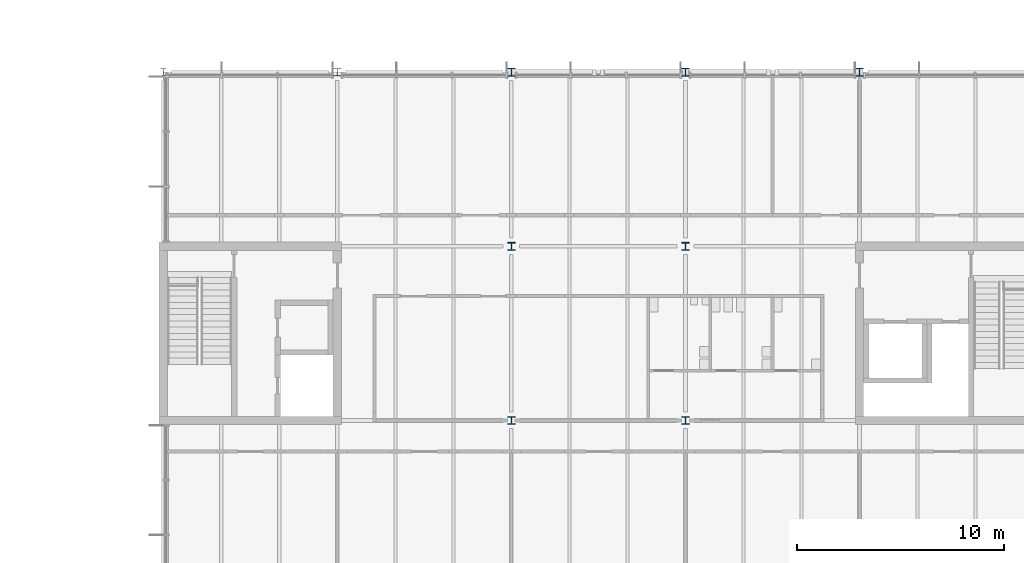
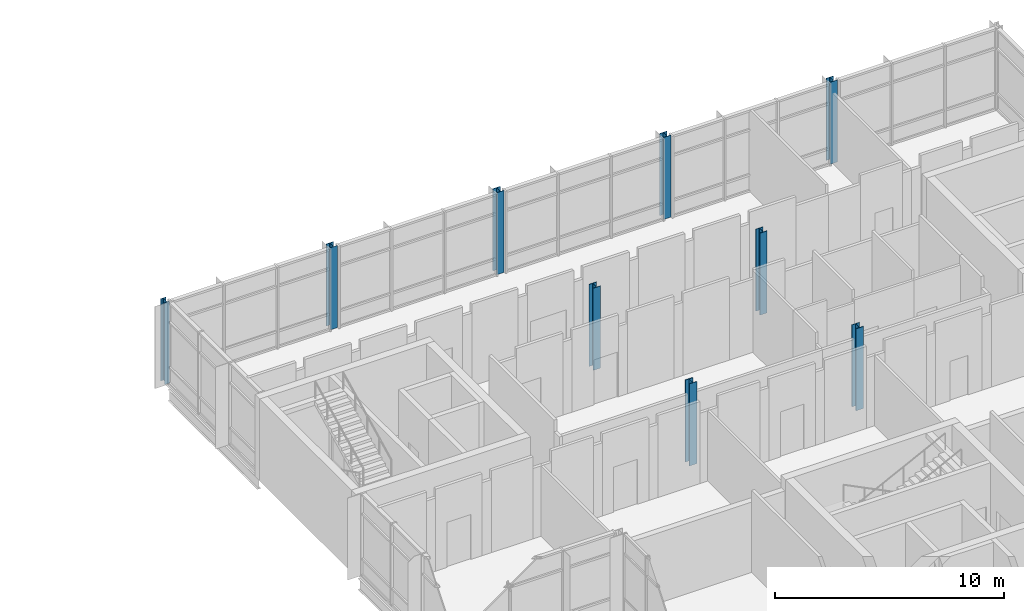
# One storey, part 9 of 89: 9 columns.
"""IFC4 building model written with IfcOpenShell, lengths in metres."""

from ifc_helpers import new_model, si_unit, direction, frame, origin, origin_2d, place, context, subcontext, project, spatial, i_section, extrude, material, material_profile, profile_set, type_object, element, save


model = new_model("IFC4")

# Units and contexts
model_context = context("Model", 3, precision=1e-05, world=origin(), true_north=direction((0.0, 1.0)))
body_context = subcontext(model_context, "Body", "Model", "MODEL_VIEW")
ifc_project = project(units=[si_unit("LENGTHUNIT", "METRE"), si_unit("AREAUNIT", "SQUARE_METRE"), si_unit("VOLUMEUNIT", "CUBIC_METRE"), si_unit("PLANEANGLEUNIT", "RADIAN"), si_unit("MASSUNIT", "GRAM", prefix="KILO")], contexts=[model_context])

# Site, building, storey
site_placement = place(None, origin())
site = spatial("IfcSite", under=ifc_project, at=site_placement, CompositionType="ELEMENT")
building_placement = place(site_placement, origin())
building = spatial("IfcBuilding", under=site, at=building_placement, Name="Hlaing Beacon Police Headquarters", CompositionType="ELEMENT")
storey_placement = place(building_placement, frame((0.0, 0.0, 9.89990234375)))
storey = spatial("IfcBuildingStorey", under=building, at=storey_placement, Name="L02", CompositionType="ELEMENT", Elevation=9.89990234375)

# Columns
ifc_material_1 = material(Name="Steel ASTM A992 Grade 50", Category="steel")
ifc_material_profile_1 = material_profile(ifc_material_1, i_section(OverallWidth=0.370849609375, OverallDepth=0.36328125, WebThickness=0.013427734375, FlangeThickness=0.021728515625, FilletRadius=0.01513671875, at=origin_2d()), Name="W14x109")
ifc_profile_set_1 = profile_set([ifc_material_profile_1], Name="Steel ASTM A992 Grade 50")
column_type_1 = type_object("IfcColumnType", Name="Steel column W14x109", PredefinedType="COLUMN", material=ifc_profile_set_1)
for number, where, z_axis, x_axis, name in (
    (1, (109.199951171875, 92.39990234375, 0.0), (0.0, 0.0, 1.0), (1.0, 0.0, 0.0), "STR-COL-L02-P12"),
    (2, (117.60009765625, 92.39990234375, 0.0), (0.0, 0.0, 1.0), (1.0, 0.0, 0.0), "STR-COL-L02-Q12"),
    (3, (126.0, 92.39990234375, 0.0), (0.0, 0.0, 1.0), (1.0, 0.0, 0.0), "STR-COL-L02-R12"),
):
    element("IfcColumn", number, at=place(storey_placement, frame(where, z_axis=z_axis, x_axis=x_axis)), inside=storey, type_object=column_type_1, Name=name, PredefinedType="COLUMN", context=body_context, shape_type="SweptSolid", body=[
        extrude(i_section(OverallWidth=0.370849609375, OverallDepth=0.36328125, WebThickness=0.013427734375, FlangeThickness=0.021728515625, FilletRadius=0.01513671875, at=origin_2d()), origin(), (0.0, 0.0, 1.0), 4.3701171875),
    ])
ifc_material_2 = material(Name="Steel ASTM A992 Grade 50", Category="steel")
ifc_material_profile_2 = material_profile(ifc_material_2, i_section(OverallWidth=0.373291015625, OverallDepth=0.373291015625, WebThickness=0.016357421875, FlangeThickness=0.026123046875, FilletRadius=0.01513671875, at=origin_2d()), Name="W14x132")
ifc_profile_set_2 = profile_set([ifc_material_profile_2], Name="Steel ASTM A992 Grade 50")
column_type_2 = type_object("IfcColumnType", Name="Steel column W14x132", PredefinedType="COLUMN", material=ifc_profile_set_2)
for number, where, z_axis, x_axis, name in (
    (4, (109.199951171875, 75.60009765625, 0.0), (0.0, 0.0, 1.0), (1.0, 0.0, 0.0), "STR-COL-L02-P10"),
    (5, (109.199951171875, 84.0, 0.0), (0.0, 0.0, 1.0), (1.0, 0.0, 0.0), "STR-COL-L02-P11"),
    (6, (117.60009765625, 75.60009765625, 0.0), (0.0, 0.0, 1.0), (1.0, 0.0, 0.0), "STR-COL-L02-Q10"),
    (7, (117.60009765625, 84.0, 0.0), (0.0, 0.0, 1.0), (1.0, 0.0, 0.0), "STR-COL-L02-Q11"),
):
    element("IfcColumn", number, at=place(storey_placement, frame(where, z_axis=z_axis, x_axis=x_axis)), inside=storey, type_object=column_type_2, Name=name, PredefinedType="COLUMN", context=body_context, shape_type="SweptSolid", body=[
        extrude(i_section(OverallWidth=0.373291015625, OverallDepth=0.373291015625, WebThickness=0.016357421875, FlangeThickness=0.026123046875, FilletRadius=0.01513671875, at=origin_2d()), origin(), (0.0, 0.0, 1.0), 4.3701171875),
    ])
ifc_material_3 = material(Name="Steel ASTM A992 Grade 50", Category="steel")
ifc_material_profile_3 = material_profile(ifc_material_3, i_section(OverallWidth=0.25390625, OverallDepth=0.355712890625, WebThickness=0.010498046875, FlangeThickness=0.018310546875, FilletRadius=0.014892578125, at=origin_2d()), Name="W14x68")
ifc_profile_set_3 = profile_set([ifc_material_profile_3], Name="Steel ASTM A992 Grade 50")
column_type_3 = type_object("IfcColumnType", Name="Steel column W14x68", PredefinedType="COLUMN", material=ifc_profile_set_3)
column_1_placement = place(storey_placement, frame((92.39990234375, 92.39990234375, 0.0), z_axis=(0.0, 0.0, 1.0), x_axis=(1.0, 0.0, 0.0)))
element("IfcColumn", 8, at=column_1_placement, inside=storey, type_object=column_type_3, Name="STR-COL-L02-M12", PredefinedType="COLUMN", context=body_context, shape_type="SweptSolid", body=[
    extrude(i_section(OverallWidth=0.25390625, OverallDepth=0.355712890625, WebThickness=0.010498046875, FlangeThickness=0.018310546875, FilletRadius=0.014892578125, at=origin_2d()), origin(), (0.0, 0.0, 1.0), 4.3701171875),
])
ifc_material_4 = material(Name="Steel ASTM A992 Grade 50", Category="steel")
ifc_material_profile_4 = material_profile(ifc_material_4, i_section(OverallWidth=0.368408203125, OverallDepth=0.355712890625, WebThickness=0.01123046875, FlangeThickness=0.01806640625, FilletRadius=0.01513671875, at=origin_2d()), Name="W14x90")
ifc_profile_set_4 = profile_set([ifc_material_profile_4], Name="Steel ASTM A992 Grade 50")
column_type_4 = type_object("IfcColumnType", Name="Steel column W14x90", PredefinedType="COLUMN", material=ifc_profile_set_4)
column_2_placement = place(storey_placement, frame((100.800048828125, 92.39990234375, 0.0), z_axis=(0.0, 0.0, 1.0), x_axis=(1.0, 0.0, 0.0)))
element("IfcColumn", 9, at=column_2_placement, inside=storey, type_object=column_type_4, Name="STR-COL-L02-N12", PredefinedType="COLUMN", context=body_context, shape_type="SweptSolid", body=[
    extrude(i_section(OverallWidth=0.368408203125, OverallDepth=0.355712890625, WebThickness=0.01123046875, FlangeThickness=0.01806640625, FilletRadius=0.01513671875, at=origin_2d()), origin(), (0.0, 0.0, 1.0), 4.3701171875),
])

save(model, "model.ifc")
